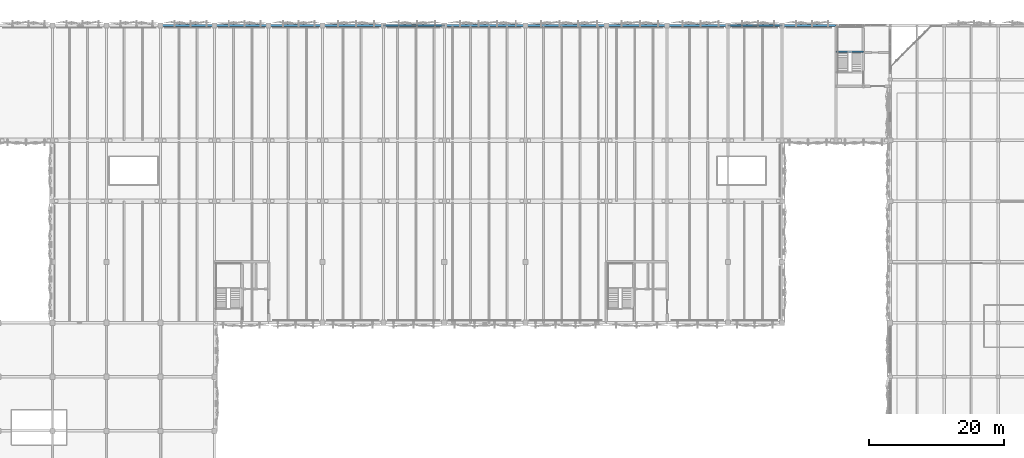
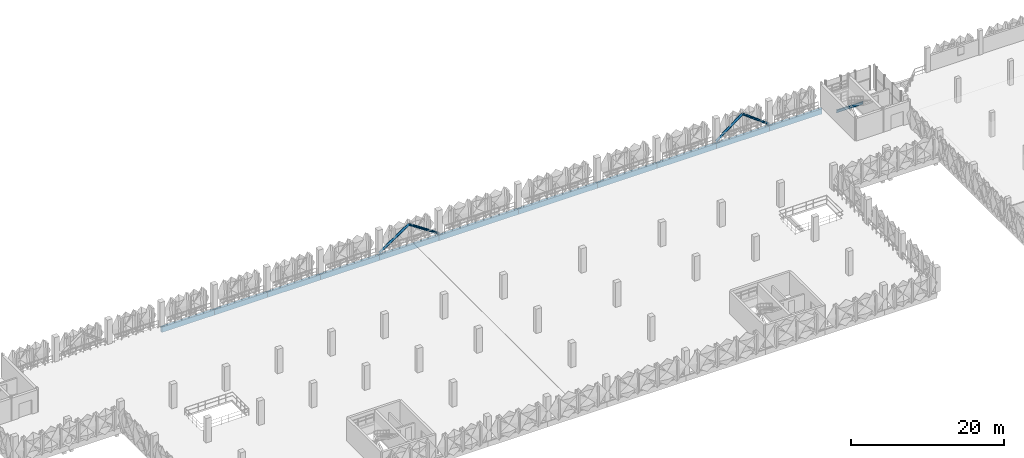
# One storey, part 27 of 83: 12 beams, 4 members.
"""IFC4 building model written with IfcOpenShell, lengths in metres."""

from ifc_helpers import new_model, si_unit, derived_unit, direction, frame, origin, origin_2d, place, context, subcontext, project, spatial, rectangle, hollow_circle, i_section, extrude, material, material_profile, profile_set, type_object, element, save


model = new_model("IFC4")

# Units and contexts
model_context = context("Model", 3, precision=1e-05, world=origin(), true_north=direction((0.0, 1.0)))
body_context = subcontext(model_context, "Body", "Model", "MODEL_VIEW")
ifc_project = project(units=[si_unit("LENGTHUNIT", "METRE"), si_unit("AREAUNIT", "SQUARE_METRE"), si_unit("VOLUMEUNIT", "CUBIC_METRE"), si_unit("PLANEANGLEUNIT", "RADIAN"), si_unit("MASSUNIT", "GRAM", prefix="KILO"), si_unit("THERMODYNAMICTEMPERATUREUNIT", "KELVIN"), derived_unit("THERMALTRANSMITTANCEUNIT", [(si_unit("POWERUNIT", "WATT"), 1), (si_unit("AREAUNIT", "SQUARE_METRE"), -1), (si_unit("THERMODYNAMICTEMPERATUREUNIT", "KELVIN"), -1)])], contexts=[model_context])

# Site, building, storey
site_placement = place(None, origin())
site = spatial("IfcSite", under=ifc_project, at=site_placement, CompositionType="ELEMENT")
building_placement = place(site_placement, origin())
building = spatial("IfcBuilding", under=site, at=building_placement, Name="Haiyu Intermodal Mobility Hub", CompositionType="ELEMENT")
storey_placement = place(building_placement, frame((0.0, 0.0, 13.39990234375)))
storey = spatial("IfcBuildingStorey", under=building, at=storey_placement, Name="L03", CompositionType="ELEMENT", Elevation=13.39990234375)

# Beams
ifc_material_1 = material(Name="Steel Q355C", Category="steel")
ifc_material_profile_1 = material_profile(ifc_material_1, i_section(OverallWidth=0.199951171875, OverallDepth=0.39990234375, WebThickness=0.008056640625, FlangeThickness=0.012939453125, FilletRadius=0.01611328125, at=origin_2d()), Name="HN400x200x8x13")
ifc_profile_set_1 = profile_set([ifc_material_profile_1], Name="Steel Q355C")
beam_type_1 = type_object("IfcBeamType", Name="BM-SB08", PredefinedType="JOIST", material=ifc_profile_set_1)
beam_placement = place(storey_placement, frame((154.0, 144.1298828125, 1.525146484375), z_axis=(1.0, 0.0, 0.0), x_axis=(0.0, 1.0, 0.0)))
element("IfcBeam", 1, at=beam_placement, inside=storey, type_object=beam_type_1, Name="Stair Half-Landing Front Beam C4-L03", PredefinedType="JOIST", context=body_context, shape_type="SweptSolid", body=[
    extrude(i_section(OverallWidth=0.199951171875, OverallDepth=0.39990234375, WebThickness=0.008056640625, FlangeThickness=0.012939453125, FilletRadius=0.01611328125, at=origin_2d()), origin(), (0.0, 0.0, 1.0), 4.050048828125),
])
ifc_material_2 = material(Name="Precast concrete C40", Category="concrete")
ifc_material_profile_2 = material_profile(ifc_material_2, rectangle(XDim=0.320068359375, YDim=0.85009765625, at=origin_2d()), Name="PC320x850")
ifc_profile_set_2 = profile_set([ifc_material_profile_2], Name="Precast concrete C40")
beam_type_2 = type_object("IfcBeamType", Name="BM-SP02", PredefinedType="SPANDREL", material=ifc_profile_set_2)
for number, where, z_axis, x_axis, name in (
    (2, (54.0, 148.0, -0.699951171875), (1.0, 0.0, 0.0), (0.0, 1.0, 0.0), "BM-V4G-L03-045"),
    (3, (62.0, 148.0, -0.699951171875), (1.0, 0.0, 0.0), (0.0, 1.0, 0.0), "BM-V4G-L03-046"),
    (4, (70.0, 148.0, -0.699951171875), (1.0, 0.0, 0.0), (0.0, 1.0, 0.0), "BM-V4G-L03-047"),
):
    element("IfcBeam", number, at=place(storey_placement, frame(where, z_axis=z_axis, x_axis=x_axis)), inside=storey, type_object=beam_type_2, Name=name, PredefinedType="SPANDREL", context=body_context, shape_type="SweptSolid", body=[
        extrude(rectangle(XDim=0.320068359375, YDim=0.85009765625, at=origin_2d()), origin(), (0.0, 0.0, 1.0), 8.0),
    ])
for number, where, z_axis, x_axis, name in (
    (5, (78.0, 148.0, -0.699951171875), (1.0, 0.0, 0.0), (0.0, 1.0, 0.0), "BM-V4G-L03-048"),
    (6, (87.0, 148.0, -0.699951171875), (1.0, 0.0, 0.0), (0.0, 1.0, 0.0), "BM-V4G-L03-049"),
):
    element("IfcBeam", number, at=place(storey_placement, frame(where, z_axis=z_axis, x_axis=x_axis)), inside=storey, type_object=beam_type_2, Name=name, PredefinedType="SPANDREL", context=body_context, shape_type="SweptSolid", body=[
        extrude(rectangle(XDim=0.320068359375, YDim=0.85009765625, at=origin_2d()), origin(), (0.0, 0.0, 1.0), 9.0),
    ])
for number, where, z_axis, x_axis, name in (
    (7, (96.0, 148.0, -0.699951171875), (1.0, 0.0, 0.0), (0.0, 1.0, 0.0), "BM-V4G-L03-050"),
    (8, (108.0, 148.0, -0.699951171875), (1.0, 0.0, 0.0), (0.0, 1.0, 0.0), "BM-V4G-L03-051"),
):
    element("IfcBeam", number, at=place(storey_placement, frame(where, z_axis=z_axis, x_axis=x_axis)), inside=storey, type_object=beam_type_2, Name=name, PredefinedType="SPANDREL", context=body_context, shape_type="SweptSolid", body=[
        extrude(rectangle(XDim=0.320068359375, YDim=0.85009765625, at=origin_2d()), origin(), (0.0, 0.0, 1.0), 12.0),
    ])
for number, where, z_axis, x_axis, name in (
    (9, (120.0, 148.0, -0.699951171875), (1.0, 0.0, 0.0), (0.0, 1.0, 0.0), "BM-V4G-L03-052"),
    (10, (129.0, 148.0, -0.699951171875), (1.0, 0.0, 0.0), (0.0, 1.0, 0.0), "BM-V4G-L03-053"),
):
    element("IfcBeam", number, at=place(storey_placement, frame(where, z_axis=z_axis, x_axis=x_axis)), inside=storey, type_object=beam_type_2, Name=name, PredefinedType="SPANDREL", context=body_context, shape_type="SweptSolid", body=[
        extrude(rectangle(XDim=0.320068359375, YDim=0.85009765625, at=origin_2d()), origin(), (0.0, 0.0, 1.0), 9.0),
    ])
for number, where, z_axis, x_axis, name in (
    (11, (138.0, 148.0, -0.699951171875), (1.0, 0.0, 0.0), (0.0, 1.0, 0.0), "BM-V4G-L03-054"),
    (12, (146.0, 148.0, -0.699951171875), (1.0, 0.0, 0.0), (0.0, 1.0, 0.0), "BM-V4G-L03-055"),
):
    element("IfcBeam", number, at=place(storey_placement, frame(where, z_axis=z_axis, x_axis=x_axis)), inside=storey, type_object=beam_type_2, Name=name, PredefinedType="SPANDREL", context=body_context, shape_type="SweptSolid", body=[
        extrude(rectangle(XDim=0.320068359375, YDim=0.85009765625, at=origin_2d()), origin(), (0.0, 0.0, 1.0), 8.0),
    ])

# Members
ifc_material_profile_3 = material_profile(ifc_material_1, hollow_circle(Radius=0.177978515625, WallThickness=0.011962890625, at=origin_2d()), Name="CHS356x12")
ifc_profile_set_3 = profile_set([ifc_material_profile_3], Name="Steel Q355C")
member_type = type_object("IfcMemberType", Name="MEM-BR01", PredefinedType="BRACE", material=ifc_profile_set_3)
for number, where, z_axis, x_axis, name in (
    (13, (87.0, 148.0, 0.0), (0.832050294338, 0.0, 0.554700196225), (0.0, 1.0, 0.0), "Seismic Chevron Brace B2-L03-A"),
    (14, (96.0, 148.0, 0.0), (-0.832050294338, 0.0, 0.554700196225), (0.0, -1.0, 0.0), "Seismic Chevron Brace B2-L03-B"),
):
    element("IfcMember", number, at=place(storey_placement, frame(where, z_axis=z_axis, x_axis=x_axis)), inside=storey, type_object=member_type, Name=name, PredefinedType="BRACE", context=body_context, shape_type="SweptSolid", body=[
        extrude(hollow_circle(Radius=0.177978515625, WallThickness=0.011962890625, at=origin_2d()), origin(), (0.0, 0.0, 1.0), 5.408447265625),
    ])
for number, where, z_axis, x_axis, name in (
    (15, (138.0, 148.0, 0.0), (0.8, 0.0, 0.6), (0.0, 1.0, 0.0), "Seismic Chevron Brace B3-L03-A"),
    (16, (146.0, 148.0, 0.0), (-0.8, 0.0, 0.6), (0.0, -1.0, 0.0), "Seismic Chevron Brace B3-L03-B"),
):
    element("IfcMember", number, at=place(storey_placement, frame(where, z_axis=z_axis, x_axis=x_axis)), inside=storey, type_object=member_type, Name=name, PredefinedType="BRACE", context=body_context, shape_type="SweptSolid", body=[
        extrude(hollow_circle(Radius=0.177978515625, WallThickness=0.011962890625, at=origin_2d()), origin(), (0.0, 0.0, 1.0), 5.0),
    ])

save(model, "model.ifc")
